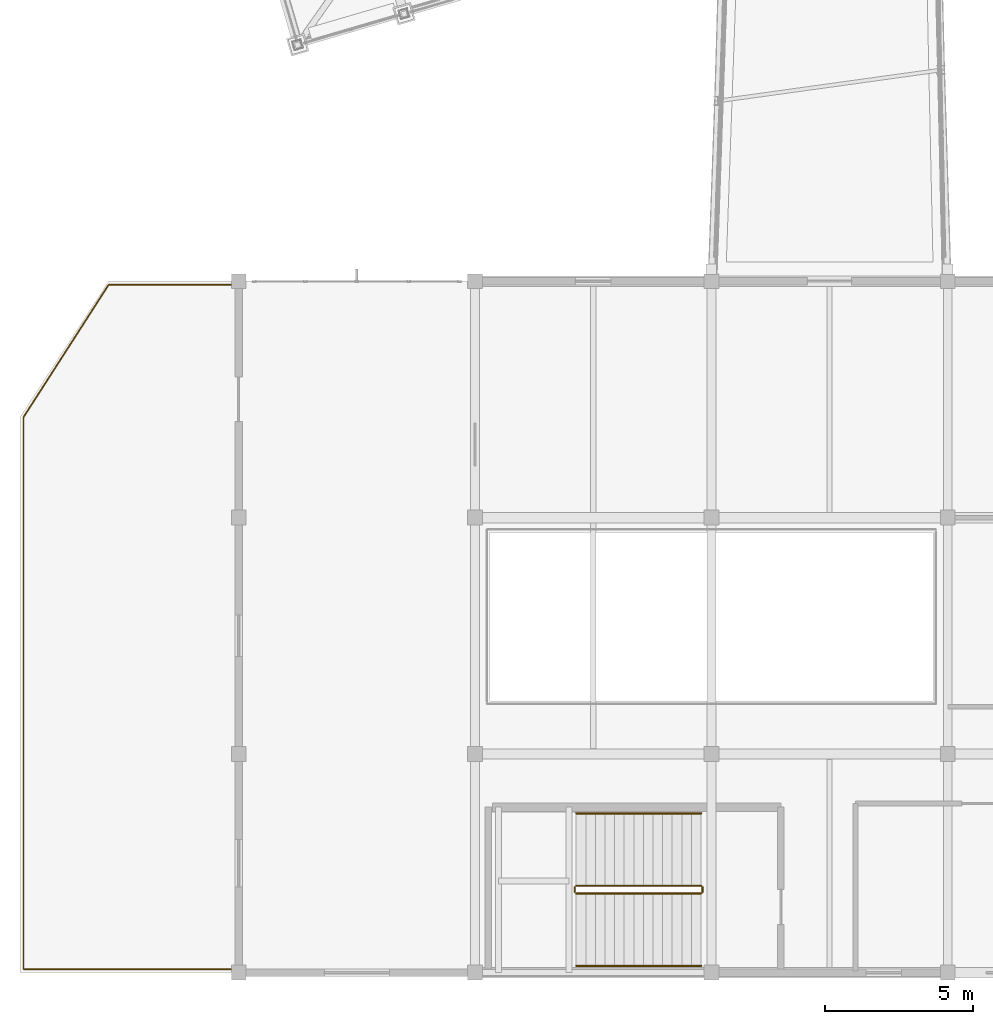
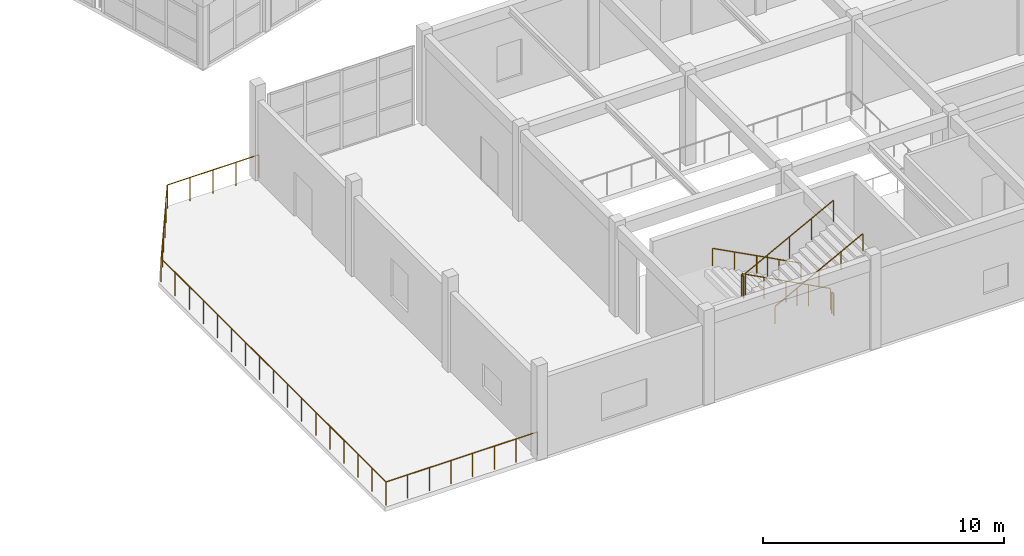
# One storey, part 237 of 248: 7 railings.
"""IFC4 building model written with IfcOpenShell, lengths in metres."""

from ifc_helpers import new_model, si_unit, direction, frame, origin, origin_2d, place, context, subcontext, project, spatial, circle, extrude, material, type_object, element, save


model = new_model("IFC4")

# Units and contexts
model_context = context("Model", 3, precision=1e-05, world=origin(), true_north=direction((0.0, 1.0)))
body_context = subcontext(model_context, "Body", "Model", "MODEL_VIEW")
ifc_project = project(units=[si_unit("LENGTHUNIT", "METRE"), si_unit("AREAUNIT", "SQUARE_METRE"), si_unit("VOLUMEUNIT", "CUBIC_METRE"), si_unit("PLANEANGLEUNIT", "RADIAN"), si_unit("MASSUNIT", "GRAM", prefix="KILO")], contexts=[model_context])

# Site, building, storey
site_placement = place(None, origin())
site = spatial("IfcSite", under=ifc_project, at=site_placement, CompositionType="ELEMENT")
building_placement = place(site_placement, origin())
building = spatial("IfcBuilding", under=site, at=building_placement, Name="Canggui Botanical Conservatory", CompositionType="ELEMENT")
storey_placement = place(building_placement, frame((0.0, 0.0, 5.39990234375)))
storey = spatial("IfcBuildingStorey", under=building, at=storey_placement, Name="L02", CompositionType="ELEMENT", Elevation=5.39990234375)

# Railings
ifc_material_1 = material(Name="Stainless Steel 304", Category="steel")
railing_type_1 = type_object("IfcRailingType", Name="RAIL-GUARD-1100", PredefinedType="BALUSTRADE", material=ifc_material_1)
railing_1_placement = place(storey_placement, frame((33.64990234375, 13.5400390625, 0.171630859375)))
element("IfcRailing", 1, at=railing_1_placement, inside=storey, type_object=railing_type_1, Name="L02 ST-V2 stair guard 1", PredefinedType="BALUSTRADE", context=body_context, shape_type="SweptSolid", body=[
    extrude(circle(Radius=0.02392578125, at=origin_2d()), frame((0.0, 0.0, 1.076171875), z_axis=(-0.884494324832, 0.0, 0.466550950423), x_axis=(0.0, -1.0, 0.0)), (0.0, 0.0, 1.0), 4.776611328125),
    extrude(circle(Radius=0.02099609375, at=origin_2d()), origin(), (0.0, 0.0, 1.0), 1.052001953125),
    extrude(circle(Radius=0.02099609375, at=origin_2d()), frame((-1.05615234375, 0.0, 0.55712890625)), (0.0, 0.0, 1.0), 1.052001953125),
    extrude(circle(Radius=0.02099609375, at=origin_2d()), frame((-2.1123046875, 0.0, 1.1142578125)), (0.0, 0.0, 1.0), 1.052001953125),
    extrude(circle(Radius=0.02099609375, at=origin_2d()), frame((-3.168701171875, 0.0, 1.67138671875)), (0.0, 0.0, 1.0), 1.052001953125),
    extrude(circle(Radius=0.02099609375, at=origin_2d()), frame((-4.224853515625, 0.0, 2.228515625)), (0.0, 0.0, 1.0), 1.052001953125),
])
railing_2_placement = place(storey_placement, frame((29.375, 13.489990234375, 2.400146484375)))
element("IfcRailing", 2, at=railing_2_placement, inside=storey, type_object=railing_type_1, Name="L02 ST-V2 stair guard 2", PredefinedType="BALUSTRADE", context=body_context, shape_type="SweptSolid", body=[
    extrude(circle(Radius=0.02392578125, at=origin_2d()), frame((0.0, 0.0, 1.076171875), z_axis=(0.0, -1.0, 0.0), x_axis=(1.0, 0.0, 0.0)), (0.0, 0.0, 1.0), 0.159912109375),
    extrude(circle(Radius=0.02099609375, at=origin_2d()), origin(), (0.0, 0.0, 1.0), 1.052001953125),
    extrude(circle(Radius=0.02099609375, at=origin_2d()), frame((0.0, -0.159912109375, 0.0)), (0.0, 0.0, 1.0), 1.052001953125),
])
railing_3_placement = place(storey_placement, frame((29.425048828125, 13.280029296875, 2.571533203125)))
element("IfcRailing", 3, at=railing_3_placement, inside=storey, type_object=railing_type_1, Name="L02 ST-V2 stair guard 3", PredefinedType="BALUSTRADE", context=body_context, shape_type="SweptSolid", body=[
    extrude(circle(Radius=0.02392578125, at=origin_2d()), frame((0.0, 0.0, 1.076171875), z_axis=(0.884494324832, 0.0, 0.466550950423), x_axis=(0.0, 1.0, 0.0)), (0.0, 0.0, 1.0), 4.776611328125),
    extrude(circle(Radius=0.02099609375, at=origin_2d()), origin(), (0.0, 0.0, 1.0), 1.052001953125),
    extrude(circle(Radius=0.02099609375, at=origin_2d()), frame((1.05615234375, 0.0, 0.55712890625)), (0.0, 0.0, 1.0), 1.052001953125),
    extrude(circle(Radius=0.02099609375, at=origin_2d()), frame((2.1123046875, 0.0, 1.1142578125)), (0.0, 0.0, 1.0), 1.052001953125),
    extrude(circle(Radius=0.02099609375, at=origin_2d()), frame((3.168701171875, 0.0, 1.67138671875)), (0.0, 0.0, 1.0), 1.052001953125),
    extrude(circle(Radius=0.02099609375, at=origin_2d()), frame((4.224853515625, 0.0, 2.228515625)), (0.0, 0.0, 1.0), 1.052001953125),
])
railing_4_placement = place(storey_placement, frame((33.699951171875, 13.489990234375, 0.0)))
element("IfcRailing", 4, at=railing_4_placement, inside=storey, type_object=railing_type_1, Name="L02 ST-V2 stair guard 4", PredefinedType="BALUSTRADE", context=body_context, shape_type="SweptSolid", body=[
    extrude(circle(Radius=0.02392578125, at=origin_2d()), frame((0.0, 0.0, 1.076171875), z_axis=(0.0, -1.0, 0.0), x_axis=(1.0, 0.0, 0.0)), (0.0, 0.0, 1.0), 0.159912109375),
    extrude(circle(Radius=0.02099609375, at=origin_2d()), origin(), (0.0, 0.0, 1.0), 1.052001953125),
    extrude(circle(Radius=0.02099609375, at=origin_2d()), frame((0.0, -0.159912109375, 0.0)), (0.0, 0.0, 1.0), 1.052001953125),
])
railing_type_2 = type_object("IfcRailingType", Name="RAIL-HAND-900", PredefinedType="HANDRAIL", material=ifc_material_1)
railing_5_placement = place(storey_placement, frame((33.64990234375, 15.989990234375, 0.171630859375)))
element("IfcRailing", 5, at=railing_5_placement, inside=storey, type_object=railing_type_2, Name="L02 ST-V2 stair handrail 1", PredefinedType="HANDRAIL", context=body_context, shape_type="SweptSolid", body=[
    extrude(circle(Radius=0.02392578125, at=origin_2d()), frame((0.0, 0.0, 0.8759765625), z_axis=(-0.884494324832, 0.0, 0.466550950423), x_axis=(0.0, -1.0, 0.0)), (0.0, 0.0, 1.0), 4.776611328125),
    extrude(circle(Radius=0.02099609375, at=origin_2d()), origin(), (0.0, 0.0, 1.0), 0.851806640625),
    extrude(circle(Radius=0.02099609375, at=origin_2d()), frame((-1.05615234375, 0.0, 0.55712890625)), (0.0, 0.0, 1.0), 0.851806640625),
    extrude(circle(Radius=0.02099609375, at=origin_2d()), frame((-2.1123046875, 0.0, 1.1142578125)), (0.0, 0.0, 1.0), 0.851806640625),
    extrude(circle(Radius=0.02099609375, at=origin_2d()), frame((-3.168701171875, 0.0, 1.67138671875)), (0.0, 0.0, 1.0), 0.851806640625),
    extrude(circle(Radius=0.02099609375, at=origin_2d()), frame((-4.224853515625, 0.0, 2.228515625)), (0.0, 0.0, 1.0), 0.851806640625),
])
railing_6_placement = place(storey_placement, frame((29.425048828125, 10.830078125, 2.571533203125)))
element("IfcRailing", 6, at=railing_6_placement, inside=storey, type_object=railing_type_2, Name="L02 ST-V2 stair handrail 2", PredefinedType="HANDRAIL", context=body_context, shape_type="SweptSolid", body=[
    extrude(circle(Radius=0.02392578125, at=origin_2d()), frame((0.0, 0.0, 0.8759765625), z_axis=(0.884494324832, 0.0, 0.466550950423), x_axis=(0.0, 1.0, 0.0)), (0.0, 0.0, 1.0), 4.776611328125),
    extrude(circle(Radius=0.02099609375, at=origin_2d()), origin(), (0.0, 0.0, 1.0), 0.851806640625),
    extrude(circle(Radius=0.02099609375, at=origin_2d()), frame((1.05615234375, 0.0, 0.55712890625)), (0.0, 0.0, 1.0), 0.851806640625),
    extrude(circle(Radius=0.02099609375, at=origin_2d()), frame((2.1123046875, 0.0, 1.1142578125)), (0.0, 0.0, 1.0), 0.851806640625),
    extrude(circle(Radius=0.02099609375, at=origin_2d()), frame((3.168701171875, 0.0, 1.67138671875)), (0.0, 0.0, 1.0), 0.851806640625),
    extrude(circle(Radius=0.02099609375, at=origin_2d()), frame((4.224853515625, 0.0, 2.228515625)), (0.0, 0.0, 1.0), 0.851806640625),
])
ifc_material_2 = material(Name="Laminated Safety Glass", Category="glass")
railing_type_3 = type_object("IfcRailingType", Name="RAIL-TERR-1200", PredefinedType="BALUSTRADE", material=ifc_material_2)
railing_7_placement = place(storey_placement, frame((17.989990234375, 10.719970703125, 0.0)))
element("IfcRailing", 7, at=railing_7_placement, inside=storey, type_object=railing_type_3, Name="Visitor Terrace Balustrade L02", PredefinedType="BALUSTRADE", context=body_context, shape_type="SweptSolid", body=[
    extrude(circle(Radius=0.02392578125, at=origin_2d()), frame((0.0, 0.0, 1.17578125), z_axis=(-1.0, 0.0, 0.0), x_axis=(0.0, -1.0, 0.0)), (0.0, 0.0, 1.0), 7.27001953125),
    extrude(circle(Radius=0.02392578125, at=origin_2d()), frame((-7.27001953125, 0.0, 1.17578125), z_axis=(0.0, 1.0, 0.0), x_axis=(-1.0, 0.0, 0.0)), (0.0, 0.0, 1.0), 18.679931640625),
    extrude(circle(Radius=0.02392578125, at=origin_2d()), frame((-7.27001953125, 18.679931640625, 1.17578125), z_axis=(0.540776125823, 0.841166560046, 0.0), x_axis=(-0.841166560046, 0.540776125823, 0.0)), (0.0, 0.0, 1.0), 5.325927734375),
    extrude(circle(Radius=0.02392578125, at=origin_2d()), frame((-4.389892578125, 23.159912109375, 1.17578125), z_axis=(1.0, 0.0, 0.0), x_axis=(0.0, 1.0, 0.0)), (0.0, 0.0, 1.0), 4.389892578125),
    extrude(circle(Radius=0.02099609375, at=origin_2d()), origin(), (0.0, 0.0, 1.0), 1.15185546875),
    extrude(circle(Radius=0.02099609375, at=origin_2d()), frame((-1.03857421875, 0.0, 0.0)), (0.0, 0.0, 1.0), 1.15185546875),
    extrude(circle(Radius=0.02099609375, at=origin_2d()), frame((-2.0771484375, 0.0, 0.0)), (0.0, 0.0, 1.0), 1.15185546875),
    extrude(circle(Radius=0.02099609375, at=origin_2d()), frame((-3.11572265625, 0.0, 0.0)), (0.0, 0.0, 1.0), 1.15185546875),
    extrude(circle(Radius=0.02099609375, at=origin_2d()), frame((-4.154296875, 0.0, 0.0)), (0.0, 0.0, 1.0), 1.15185546875),
    extrude(circle(Radius=0.02099609375, at=origin_2d()), frame((-5.19287109375, 0.0, 0.0)), (0.0, 0.0, 1.0), 1.15185546875),
    extrude(circle(Radius=0.02099609375, at=origin_2d()), frame((-6.2314453125, 0.0, 0.0)), (0.0, 0.0, 1.0), 1.15185546875),
    extrude(circle(Radius=0.02099609375, at=origin_2d()), frame((-7.27001953125, 0.0, 0.0)), (0.0, 0.0, 1.0), 1.15185546875),
    extrude(circle(Radius=0.02099609375, at=origin_2d()), frame((-7.27001953125, 1.16748046875, 0.0)), (0.0, 0.0, 1.0), 1.15185546875),
    extrude(circle(Radius=0.02099609375, at=origin_2d()), frame((-7.27001953125, 2.3349609375, 0.0)), (0.0, 0.0, 1.0), 1.15185546875),
    extrude(circle(Radius=0.02099609375, at=origin_2d()), frame((-7.27001953125, 3.50244140625, 0.0)), (0.0, 0.0, 1.0), 1.15185546875),
    extrude(circle(Radius=0.02099609375, at=origin_2d()), frame((-7.27001953125, 4.669921875, 0.0)), (0.0, 0.0, 1.0), 1.15185546875),
    extrude(circle(Radius=0.02099609375, at=origin_2d()), frame((-7.27001953125, 5.83740234375, 0.0)), (0.0, 0.0, 1.0), 1.15185546875),
    extrude(circle(Radius=0.02099609375, at=origin_2d()), frame((-7.27001953125, 7.0048828125, 0.0)), (0.0, 0.0, 1.0), 1.15185546875),
    extrude(circle(Radius=0.02099609375, at=origin_2d()), frame((-7.27001953125, 8.17236328125, 0.0)), (0.0, 0.0, 1.0), 1.15185546875),
    extrude(circle(Radius=0.02099609375, at=origin_2d()), frame((-7.27001953125, 9.33984375, 0.0)), (0.0, 0.0, 1.0), 1.15185546875),
    extrude(circle(Radius=0.02099609375, at=origin_2d()), frame((-7.27001953125, 10.507568359375, 0.0)), (0.0, 0.0, 1.0), 1.15185546875),
    extrude(circle(Radius=0.02099609375, at=origin_2d()), frame((-7.27001953125, 11.675048828125, 0.0)), (0.0, 0.0, 1.0), 1.15185546875),
    extrude(circle(Radius=0.02099609375, at=origin_2d()), frame((-7.27001953125, 12.842529296875, 0.0)), (0.0, 0.0, 1.0), 1.15185546875),
    extrude(circle(Radius=0.02099609375, at=origin_2d()), frame((-7.27001953125, 14.010009765625, 0.0)), (0.0, 0.0, 1.0), 1.15185546875),
    extrude(circle(Radius=0.02099609375, at=origin_2d()), frame((-7.27001953125, 15.177490234375, 0.0)), (0.0, 0.0, 1.0), 1.15185546875),
    extrude(circle(Radius=0.02099609375, at=origin_2d()), frame((-7.27001953125, 16.344970703125, 0.0)), (0.0, 0.0, 1.0), 1.15185546875),
    extrude(circle(Radius=0.02099609375, at=origin_2d()), frame((-7.27001953125, 17.512451171875, 0.0)), (0.0, 0.0, 1.0), 1.15185546875),
    extrude(circle(Radius=0.02099609375, at=origin_2d()), frame((-7.27001953125, 18.679931640625, 0.0)), (0.0, 0.0, 1.0), 1.15185546875),
    extrude(circle(Radius=0.02099609375, at=origin_2d()), frame((-6.694091796875, 19.575927734375, 0.0)), (0.0, 0.0, 1.0), 1.15185546875),
    extrude(circle(Radius=0.02099609375, at=origin_2d()), frame((-6.117919921875, 20.471923828125, 0.0)), (0.0, 0.0, 1.0), 1.15185546875),
    extrude(circle(Radius=0.02099609375, at=origin_2d()), frame((-5.5419921875, 21.367919921875, 0.0)), (0.0, 0.0, 1.0), 1.15185546875),
    extrude(circle(Radius=0.02099609375, at=origin_2d()), frame((-4.9658203125, 22.263916015625, 0.0)), (0.0, 0.0, 1.0), 1.15185546875),
    extrude(circle(Radius=0.02099609375, at=origin_2d()), frame((-4.389892578125, 23.159912109375, 0.0)), (0.0, 0.0, 1.0), 1.15185546875),
    extrude(circle(Radius=0.02099609375, at=origin_2d()), frame((-3.29248046875, 23.159912109375, 0.0)), (0.0, 0.0, 1.0), 1.15185546875),
    extrude(circle(Radius=0.02099609375, at=origin_2d()), frame((-2.19482421875, 23.159912109375, 0.0)), (0.0, 0.0, 1.0), 1.15185546875),
    extrude(circle(Radius=0.02099609375, at=origin_2d()), frame((-1.097412109375, 23.159912109375, 0.0)), (0.0, 0.0, 1.0), 1.15185546875),
    extrude(circle(Radius=0.02099609375, at=origin_2d()), frame((0.0, 23.159912109375, 0.0)), (0.0, 0.0, 1.0), 1.15185546875),
])

save(model, "model.ifc")
